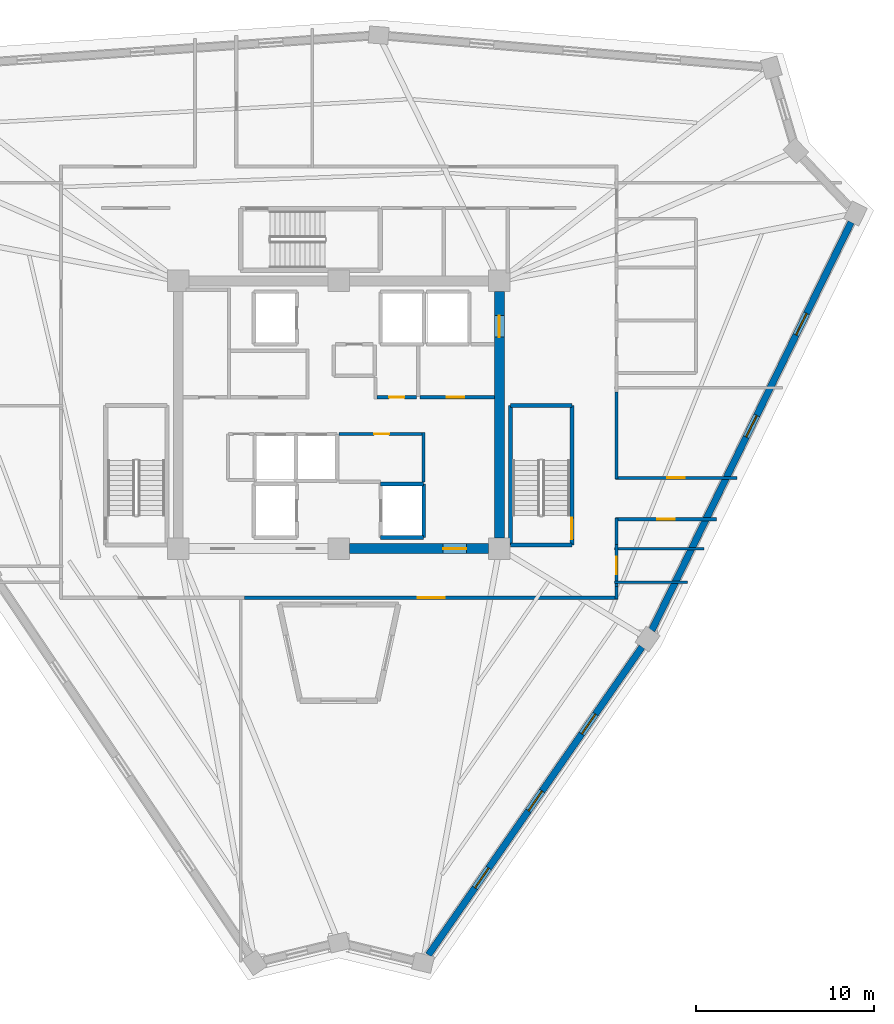
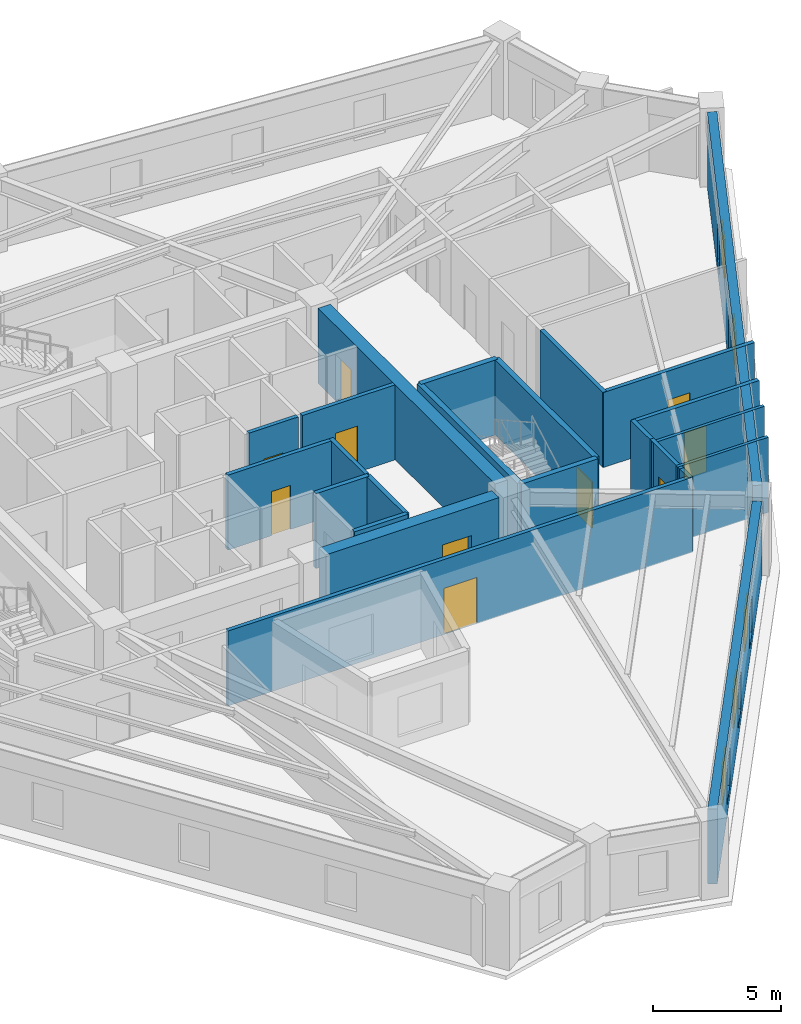
# One storey, part 4 of 10: 24 walls, 10 doors, 5 windows, 15 openings.
"""IFC4 building model written with IfcOpenShell, lengths in metres."""

import ifcopenshell
import ifcopenshell.guid

model = None  # the IFC model being written
_history = None  # IfcOwnerHistory: only IFC2X3 demands one
_inside = {}  # id of a spatial element -> (the spatial element, [elements in it])
_under = {}  # id of a project, library or spatial element -> (it, [spatial elements below it])
_declared = {}  # id of a project -> (the project, [libraries it declares])
_typed = {}  # id of a type object -> (the type object, [elements of that type])
_made_of = {}  # id of a material, layer set ... -> (it, [elements and type objects made of it])


def new_model(schema):
    """Start an empty IFC model of exactly this schema.

    Asked for "IFC4X3", IfcOpenShell would pick the latest addendum, in which some entities
    have other attributes; the version numbers below select the first issue.
    IFC2X3 requires an IfcOwnerHistory on every rooted entity: one is made here for all.
    """
    global model, _history
    if schema == "IFC4X3":
        model = ifcopenshell.file(schema_version=(4, 3, 0, 0))
    else:
        model = ifcopenshell.file(schema=schema)
    _inside.clear()
    _under.clear()
    _declared.clear()
    _typed.clear()
    _made_of.clear()
    _history = None
    if model.schema == "IFC2X3":
        org = make("IfcOrganization", Name="unknown")
        user = make(
            "IfcPersonAndOrganization",
            ThePerson=make("IfcPerson", FamilyName="unknown"),
            TheOrganization=org,
        )
        app = make(
            "IfcApplication",
            ApplicationDeveloper=org,
            Version="unknown",
            ApplicationFullName="unknown",
            ApplicationIdentifier="unknown",
        )
        _history = make(
            "IfcOwnerHistory",
            OwningUser=user,
            OwningApplication=app,
            ChangeAction="ADDED",
            CreationDate=0,
        )
    return model


def make(cls, **values):
    """One entity of the class cls with the attributes given. An attribute that is None is left unset."""
    return model.create_entity(
        cls, **{name: value for name, value in values.items() if value is not None}
    )


def rooted(cls, **values):
    """An entity with a GlobalId (a new one), such as an element, a storey or a relation."""
    return make(cls, GlobalId=ifcopenshell.guid.new(), OwnerHistory=_history, **values)


def si_unit(unit_type, name, prefix=None):
    """IfcSIUnit, for example si_unit("LENGTHUNIT", "METRE", prefix="MILLI")."""
    return make("IfcSIUnit", UnitType=unit_type, Prefix=prefix, Name=name)


def assignment(units):
    """IfcUnitAssignment: the units of a project."""
    return None if units is None else make("IfcUnitAssignment", Units=units)


def point(xyz):
    """IfcCartesianPoint."""
    return None if xyz is None else make("IfcCartesianPoint", Coordinates=xyz)


def direction(xyz):
    """IfcDirection."""
    return None if xyz is None else make("IfcDirection", DirectionRatios=xyz)


def frame(location, z_axis=None, x_axis=None):
    """IfcAxis2Placement3D, a coordinate frame: its origin and axes. An axis left out is left unset."""
    return make(
        "IfcAxis2Placement3D",
        Location=point(location),
        Axis=direction(z_axis),
        RefDirection=direction(x_axis),
    )


def frame_2d(location, x_axis=None):
    """IfcAxis2Placement2D, a coordinate frame in the plane: its origin and x axis."""
    return make(
        "IfcAxis2Placement2D", Location=point(location), RefDirection=direction(x_axis)
    )


def origin():
    """The frame at (0, 0, 0) with its axes left unset."""
    return frame((0.0, 0.0, 0.0))


def place(relative_to, where):
    """IfcLocalPlacement: puts the frame where relative to a parent placement (None: the world)."""
    return make(
        "IfcLocalPlacement", PlacementRelTo=relative_to, RelativePlacement=where
    )


def context(
    kind, dimensions, precision=None, world=None, true_north=None, identifier=None
):
    """IfcGeometricRepresentationContext, for example the 3D "Model" context."""
    return make(
        "IfcGeometricRepresentationContext",
        ContextIdentifier=identifier,
        ContextType=kind,
        CoordinateSpaceDimension=dimensions,
        Precision=precision,
        WorldCoordinateSystem=world,
        TrueNorth=true_north,
    )


def subcontext(parent, identifier, kind, view, scale=None):
    """IfcGeometricRepresentationSubContext, for example "Body" below "Model"."""
    return make(
        "IfcGeometricRepresentationSubContext",
        ContextIdentifier=identifier,
        ContextType=kind,
        ParentContext=parent,
        TargetScale=scale,
        TargetView=view,
    )


def project(units=None, contexts=None):
    """IfcProject with its units and contexts."""
    return rooted(
        "IfcProject",
        Name="project",
        RepresentationContexts=contexts,
        UnitsInContext=assignment(units),
    )


def spatial(cls, under=None, at=None, **own):
    """A site, building, storey or space (cls), placed at a placement, below another one or the project."""
    s = rooted(cls, ObjectPlacement=at, **own)
    if under is not None:
        _under.setdefault(under.id(), (under, []))[1].append(s)
    return s


def profile(cls, at=None, kind="AREA", **sizes):
    """A parametric profile (cls). Its sizes go by their IFC names, for example OverallWidth=200.0."""
    return make(cls, ProfileType=kind, Position=at, **sizes)


def rectangle(**sizes):
    """IfcRectangleProfileDef."""
    return profile("IfcRectangleProfileDef", **sizes)


def extrude(swept, where, along, depth):
    """IfcExtrudedAreaSolid: the profile swept, set in the frame where, extruded along a direction by depth."""
    return make(
        "IfcExtrudedAreaSolid",
        SweptArea=swept,
        Position=where,
        ExtrudedDirection=direction(along),
        Depth=depth,
    )


def shape(context_of_items, identifier, shape_type, items):
    """IfcShapeRepresentation: the items that make up one representation, for example the "Body"."""
    return make(
        "IfcShapeRepresentation",
        ContextOfItems=context_of_items,
        RepresentationIdentifier=identifier,
        RepresentationType=shape_type,
        Items=items,
    )


def source(mapping_origin, context_of_items, identifier, shape_type, items):
    """IfcRepresentationMap: a shape defined once, which mapped items show again and again."""
    return make(
        "IfcRepresentationMap",
        MappingOrigin=mapping_origin,
        MappedRepresentation=shape(context_of_items, identifier, shape_type, items),
    )


def transform(
    local_origin,
    x_axis=None,
    y_axis=None,
    z_axis=None,
    scale=None,
    scale2=None,
    scale3=None,
    uniform=True,
):
    """IfcCartesianTransformationOperator3D, or its non-uniform kind. x_axis, y_axis, z_axis: its Axis1, 2, 3."""
    if uniform:
        return make(
            "IfcCartesianTransformationOperator3D",
            Axis1=direction(x_axis),
            Axis2=direction(y_axis),
            LocalOrigin=point(local_origin),
            Scale=scale,
            Axis3=direction(z_axis),
        )
    return make(
        "IfcCartesianTransformationOperator3DnonUniform",
        Axis1=direction(x_axis),
        Axis2=direction(y_axis),
        LocalOrigin=point(local_origin),
        Scale=scale,
        Axis3=direction(z_axis),
        Scale2=scale2,
        Scale3=scale3,
    )


def mapped(mapping_source, mapping_target):
    """IfcMappedItem: shows the shape of a source again, moved by a transform."""
    return make(
        "IfcMappedItem", MappingSource=mapping_source, MappingTarget=mapping_target
    )


def material(Name=None, Category=None):
    """IfcMaterial."""
    return make("IfcMaterial", Name=Name, Category=Category)


def layer(
    of_material, thickness, ventilated=None, Name=None, Category=None, Priority=None
):
    """IfcMaterialLayer: one layer of a wall or slab, of a material (None: an air gap)."""
    return make(
        "IfcMaterialLayer",
        Material=of_material,
        LayerThickness=thickness,
        IsVentilated=ventilated,
        Name=Name,
        Category=Category,
        Priority=Priority,
    )


def layer_set(layers, Name=None):
    """IfcMaterialLayerSet."""
    return make("IfcMaterialLayerSet", MaterialLayers=layers, LayerSetName=Name)


def made_of(thing, what):
    """Note that an element or type object is made of a material, layer set ...; save() writes the relation."""
    if what is not None:
        _made_of.setdefault(what.id(), (what, []))[1].append(thing)
    return thing


def type_object(cls, material=None, **own):
    """A type object (cls), such as IfcWallType, which elements share."""
    return made_of(rooted(cls, **own), material)


def element(
    cls,
    number,
    at=None,
    inside=None,
    cuts=None,
    type_object=None,
    material=None,
    context=None,
    identifier="Body",
    shape_type=None,
    held_by="IfcProductDefinitionShape",
    body=None,
    shapes=None,
    **own,
):
    """One element of the class cls, such as IfcWall. Its Tag is "e" and its number.

    at: its placement. inside: the storey or other place that contains it. cuts: it is an
    opening in that element (IfcRelVoidsElement). A single representation is given by context,
    identifier, shape_type and body (its items); several are given by shapes. held_by: the class
    of the entity that holds the representations. save() writes the other relations.
    """
    e = rooted(cls, Tag="e%d" % number, ObjectPlacement=at, **own)
    if body is not None:
        shapes = [shape(context, identifier, shape_type, body)]
    if shapes is not None:
        e.Representation = make(held_by, Representations=shapes)
    if inside is not None:
        _inside.setdefault(inside.id(), (inside, []))[1].append(e)
    if cuts is not None:
        rooted(
            "IfcRelVoidsElement", RelatingBuildingElement=cuts, RelatedOpeningElement=e
        )
    if type_object is not None:
        _typed.setdefault(type_object.id(), (type_object, []))[1].append(e)
    return made_of(e, material)


def fill(opening, filler):
    """IfcRelFillsElement: the door or window that sits in an opening."""
    return rooted(
        "IfcRelFillsElement",
        RelatingOpeningElement=opening,
        RelatedBuildingElement=filler,
    )


def aggregate(whole, parts):
    """IfcRelAggregates: a whole, such as a stair, and the parts it consists of."""
    return rooted("IfcRelAggregates", RelatingObject=whole, RelatedObjects=parts)


def save(model, path):
    """Write the relations noted so far, then the file.

    IfcRelAggregates (storeys below a building ...), IfcRelContainedInSpatialStructure (elements
    in a storey), IfcRelDefinesByType, IfcRelAssociatesMaterial and IfcRelDeclares: one each for
    every whole, place, type object, material and project.
    """
    for whole, parts in _under.values():
        aggregate(whole, parts)
    for where, things in _inside.values():
        rooted(
            "IfcRelContainedInSpatialStructure",
            RelatedElements=things,
            RelatingStructure=where,
        )
    for kind, things in _typed.values():
        rooted("IfcRelDefinesByType", RelatedObjects=things, RelatingType=kind)
    for what, things in _made_of.values():
        rooted("IfcRelAssociatesMaterial", RelatedObjects=things, RelatingMaterial=what)
    for by, libraries in _declared.values():
        rooted("IfcRelDeclares", RelatingContext=by, RelatedDefinitions=libraries)
    model.write(path)


model = new_model("IFC4")

# Units and contexts
model_context = context("Model", 3, precision=1e-05, world=origin(), true_north=direction((0.0, 1.0)))
body_context = subcontext(model_context, "Body", "Model", "MODEL_VIEW")
ifc_project = project(units=[si_unit("LENGTHUNIT", "METRE"), si_unit("AREAUNIT", "SQUARE_METRE"), si_unit("VOLUMEUNIT", "CUBIC_METRE"), si_unit("PLANEANGLEUNIT", "RADIAN"), si_unit("MASSUNIT", "GRAM", prefix="KILO")], contexts=[model_context])

# Site, building, storey
site_placement = place(None, origin())
site = spatial("IfcSite", under=ifc_project, at=site_placement, CompositionType="ELEMENT")
building_placement = place(site_placement, origin())
building = spatial("IfcBuilding", under=site, at=building_placement, Name="Liaohun Quay Tower", CompositionType="ELEMENT")
storey_placement = place(building_placement, frame((0.0, 0.0, 339.75)))
storey = spatial("IfcBuildingStorey", under=building, at=storey_placement, Name="L88", CompositionType="ELEMENT", Elevation=339.75)

# Wall, opening, door
ifc_material_1 = material(Name="Concrete C50", Category="concrete")
ifc_layer_1 = layer(ifc_material_1, 0.550048828125, Name="Concrete C50", Category="concrete")
ifc_layer_set_1 = layer_set([ifc_layer_1], Name="Concrete C50")
wall_type_1 = type_object("IfcWallType", Name="WAL-COR-Z4", PredefinedType="SHEAR", material=ifc_layer_set_1)
wall_1_placement = place(storey_placement, frame((69.0, 60.89990234375, 0.0), z_axis=(0.0, 0.0, 1.0), x_axis=(0.0, -1.0, 0.0)))
wall_1 = element("IfcWall", 1, at=wall_1_placement, inside=storey, type_object=wall_type_1, Name="L88 Central Core Shear Wall E", PredefinedType="SHEAR", context=body_context, shape_type="SweptSolid", body=[
    extrude(rectangle(XDim=13.7998046875, YDim=0.550048828125, at=frame_2d((6.89990234375, 0.0))), origin(), (0.0, 0.0, 1.0), 3.570068359375),
])
shared_shape_1 = source(origin(), body_context, "Body", "SweptSolid", [
    extrude(rectangle(XDim=1.199951171875, YDim=2.199951171875, at=frame_2d((0.60009765625, 1.10009765625))), frame((0.0, 0.284912109375, 0.0), z_axis=(0.0, -1.0, 0.0), x_axis=(1.0, 0.0, 0.0)), (0.0, 0.0, 1.0), 0.570068359375),
])
opening_1_placement = place(wall_1_placement, frame((1.35009765625, 0.0, 0.0)))
opening_1 = element("IfcOpeningElement", 2, at=opening_1_placement, cuts=wall_1, Name="Opening SD1", PredefinedType="OPENING", context=body_context, shape_type="MappedRepresentation", body=[
    mapped(shared_shape_1, transform((0.0, 0.0, 0.0), x_axis=(1.0, 0.0, 0.0), y_axis=(0.0, 1.0, 0.0), z_axis=(0.0, 0.0, 1.0), scale=1.0)),
])
ifc_material_2 = material(Name="Galvanised steel fire door", Category="steel")
door_type_1 = type_object("IfcDoorType", Name="DOR-STR-1200", OperationType="NOTDEFINED", PredefinedType="DOOR", material=ifc_material_2)
shared_shape_2 = source(origin(), body_context, "Body", "SweptSolid", [
    extrude(rectangle(XDim=1.199951171875, YDim=2.199951171875, at=frame_2d((0.60009765625, 1.10009765625))), frame((0.0, 0.02490234375, 0.0), z_axis=(0.0, -1.0, 0.0), x_axis=(1.0, 0.0, 0.0)), (0.0, 0.0, 1.0), 0.050048828125),
])
door_1_placement = place(opening_1_placement, origin())
door_1 = element("IfcDoor", 3, at=door_1_placement, inside=storey, type_object=door_type_1, Name="L88 North-East Core Lobby Smokeproof Door", OperationType="SINGLE_SWING_LEFT", OverallHeight=2.199951171875, OverallWidth=1.199951171875, PredefinedType="DOOR", context=body_context, shape_type="MappedRepresentation", body=[
    mapped(shared_shape_2, transform((0.0, 0.0, 0.0), x_axis=(1.0, 0.0, 0.0), y_axis=(0.0, 1.0, 0.0), z_axis=(0.0, 0.0, 1.0), scale=1.0)),
])
fill(opening_1, door_1)

wall_2_placement = place(storey_placement, frame((68.39990234375, 46.5, 0.0), z_axis=(0.0, 0.0, 1.0), x_axis=(-1.0, 0.0, 0.0)))
wall_2 = element("IfcWall", 4, at=wall_2_placement, inside=storey, type_object=wall_type_1, Name="L88 Central Core Shear Wall S-E", PredefinedType="SHEAR", context=body_context, shape_type="SweptSolid", body=[
    extrude(rectangle(XDim=7.7998046875, YDim=0.550048828125, at=frame_2d((3.89990234375, 0.0))), origin(), (0.0, 0.0, 1.0), 3.570068359375),
])
shared_shape_3 = source(origin(), body_context, "Body", "SweptSolid", [
    extrude(rectangle(XDim=1.300048828125, YDim=2.199951171875, at=frame_2d((0.64990234375, 1.10009765625))), frame((0.0, 0.284912109375, 0.0), z_axis=(0.0, -1.0, 0.0), x_axis=(1.0, 0.0, 0.0)), (0.0, 0.0, 1.0), 0.570068359375),
])
opening_2_placement = place(wall_2_placement, frame((1.25, 0.0, 0.0)))
opening_2 = element("IfcOpeningElement", 5, at=opening_2_placement, cuts=wall_2, Name="Opening FD1", PredefinedType="OPENING", context=body_context, shape_type="MappedRepresentation", body=[
    mapped(shared_shape_3, transform((0.0, 0.0, 0.0), x_axis=(1.0, 0.0, 0.0), y_axis=(0.0, 1.0, 0.0), z_axis=(0.0, 0.0, 1.0), scale=1.0)),
])
ifc_material_3 = material(Name="Galvanised steel smokeproof fire door", Category="steel")
door_type_2 = type_object("IfcDoorType", Name="DOR-FFL-1300", OperationType="NOTDEFINED", PredefinedType="DOOR", material=ifc_material_3)
shared_shape_4 = source(origin(), body_context, "Body", "SweptSolid", [
    extrude(rectangle(XDim=1.300048828125, YDim=2.199951171875, at=frame_2d((0.64990234375, 1.10009765625))), frame((0.0, 0.02490234375, 0.0), z_axis=(0.0, -1.0, 0.0), x_axis=(1.0, 0.0, 0.0)), (0.0, 0.0, 1.0), 0.050048828125),
])
door_2_placement = place(opening_2_placement, origin())
door_2 = element("IfcDoor", 6, at=door_2_placement, inside=storey, type_object=door_type_2, Name="L88 East Core Lift Lobby Smokeproof Door", OperationType="SINGLE_SWING_LEFT", OverallHeight=2.199951171875, OverallWidth=1.300048828125, PredefinedType="DOOR", context=body_context, shape_type="MappedRepresentation", body=[
    mapped(shared_shape_4, transform((0.0, 0.0, 0.0), x_axis=(1.0, 0.0, 0.0), y_axis=(0.0, 1.0, 0.0), z_axis=(0.0, 0.0, 1.0), scale=1.0)),
])
fill(opening_2, door_2)

# Wall, openings, windows
ifc_material_4 = material(Name="Precast concrete C50 insulated sandwich", Category="concrete")
ifc_layer_2 = layer(ifc_material_4, 0.3798828125, Name="Precast concrete C50 insulated sandwich", Category="concrete")
ifc_layer_set_2 = layer_set([ifc_layer_2], Name="Precast concrete C50 insulated sandwich")
wall_type_2 = type_object("IfcWallType", Name="WAL-EXT-Z34", PredefinedType="SOLIDWALL", material=ifc_layer_set_2)
wall_3_placement = place(storey_placement, frame((65.02294921875, 23.736083984375, 0.0), z_axis=(0.0, 0.0, 1.0), x_axis=(0.569887562459, 0.821722682025, 0.0)))
wall_3 = element("IfcWall", 7, at=wall_3_placement, inside=storey, type_object=wall_type_2, Name="L88 Brutalist Precast Pier Wall 02", PredefinedType="SOLIDWALL", context=body_context, shape_type="SweptSolid", body=[
    extrude(rectangle(XDim=20.997314453125, YDim=0.3798828125, at=frame_2d((10.49853515625, 0.0))), origin(), (0.0, 0.0, 1.0), 3.570068359375),
])
shared_shape_5 = source(origin(), body_context, "Body", "SweptSolid", [
    extrude(rectangle(XDim=1.35009765625, YDim=1.85009765625, at=frame_2d((0.675048828125, 0.925048828125))), frame((0.0, 0.199951171875, 0.0), z_axis=(0.0, -1.0, 0.0), x_axis=(1.0, 0.0, 0.0)), (0.0, 0.0, 1.0), 0.39990234375),
])
opening_3_placement = place(wall_3_placement, frame((4.573974609375, 0.0, 0.550048828125)))
opening_3 = element("IfcOpeningElement", 8, at=opening_3_placement, cuts=wall_3, Name="Opening W04", PredefinedType="OPENING", context=body_context, shape_type="MappedRepresentation", body=[
    mapped(shared_shape_5, transform((0.0, 0.0, 0.0), x_axis=(1.0, 0.0, 0.0), y_axis=(0.0, 1.0, 0.0), z_axis=(0.0, 0.0, 1.0), scale=1.0)),
])
opening_4_placement = place(wall_3_placement, frame((9.823974609375, 0.0, 0.550048828125)))
opening_4 = element("IfcOpeningElement", 9, at=opening_4_placement, cuts=wall_3, Name="Opening W04", PredefinedType="OPENING", context=body_context, shape_type="MappedRepresentation", body=[
    mapped(shared_shape_5, transform((0.0, 0.0, 0.0), x_axis=(1.0, 0.0, 0.0), y_axis=(0.0, 1.0, 0.0), z_axis=(0.0, 0.0, 1.0), scale=1.0)),
])
opening_5_placement = place(wall_3_placement, frame((15.072998046875, 0.0, 0.550048828125)))
opening_5 = element("IfcOpeningElement", 10, at=opening_5_placement, cuts=wall_3, Name="Opening W04", PredefinedType="OPENING", context=body_context, shape_type="MappedRepresentation", body=[
    mapped(shared_shape_5, transform((0.0, 0.0, 0.0), x_axis=(1.0, 0.0, 0.0), y_axis=(0.0, 1.0, 0.0), z_axis=(0.0, 0.0, 1.0), scale=1.0)),
])
ifc_material_5 = material(Name="Triple Low-E argon glazing in thermally broken aluminium", Category="aluminium")
window_type = type_object("IfcWindowType", Name="WIN-PUN-Z4", PartitioningType="SINGLE_PANEL", PredefinedType="WINDOW", material=ifc_material_5)
shared_shape_6 = source(origin(), body_context, "Body", "SweptSolid", [
    extrude(rectangle(XDim=1.35009765625, YDim=1.85009765625, at=frame_2d((0.675048828125, 0.925048828125))), frame((0.0, 0.030029296875, 0.0), z_axis=(0.0, -1.0, 0.0), x_axis=(1.0, 0.0, 0.0)), (0.0, 0.0, 1.0), 0.06005859375),
])
window_1_placement = place(opening_3_placement, origin())
window_1 = element("IfcWindow", 11, at=window_1_placement, inside=storey, type_object=window_type, Name="L88 Recessed Cold-Climate Punched Window 02-1", OverallHeight=1.85009765625, OverallWidth=1.35009765625, PartitioningType="SINGLE_PANEL", PredefinedType="WINDOW", context=body_context, shape_type="MappedRepresentation", body=[
    mapped(shared_shape_6, transform((0.0, 0.0, 0.0), x_axis=(1.0, 0.0, 0.0), y_axis=(0.0, 1.0, 0.0), z_axis=(0.0, 0.0, 1.0), scale=1.0)),
])
fill(opening_3, window_1)
window_2_placement = place(opening_4_placement, origin())
window_2 = element("IfcWindow", 12, at=window_2_placement, inside=storey, type_object=window_type, Name="L88 Recessed Cold-Climate Punched Window 02-2", OverallHeight=1.85009765625, OverallWidth=1.35009765625, PartitioningType="SINGLE_PANEL", PredefinedType="WINDOW", context=body_context, shape_type="MappedRepresentation", body=[
    mapped(shared_shape_6, transform((0.0, 0.0, 0.0), x_axis=(1.0, 0.0, 0.0), y_axis=(0.0, 1.0, 0.0), z_axis=(0.0, 0.0, 1.0), scale=1.0)),
])
fill(opening_4, window_2)
window_3_placement = place(opening_5_placement, origin())
window_3 = element("IfcWindow", 13, at=window_3_placement, inside=storey, type_object=window_type, Name="L88 Recessed Cold-Climate Punched Window 02-3", OverallHeight=1.85009765625, OverallWidth=1.35009765625, PartitioningType="SINGLE_PANEL", PredefinedType="WINDOW", context=body_context, shape_type="MappedRepresentation", body=[
    mapped(shared_shape_6, transform((0.0, 0.0, 0.0), x_axis=(1.0, 0.0, 0.0), y_axis=(0.0, 1.0, 0.0), z_axis=(0.0, 0.0, 1.0), scale=1.0)),
])
fill(opening_5, window_3)

wall_4_placement = place(storey_placement, frame((77.533935546875, 41.9189453125, 0.0), z_axis=(0.0, 0.0, 1.0), x_axis=(0.438992867409, 0.898490546619, 0.0)))
wall_4 = element("IfcWall", 14, at=wall_4_placement, inside=storey, type_object=wall_type_2, Name="L88 Brutalist Precast Pier Wall 03", PredefinedType="SOLIDWALL", context=body_context, shape_type="SweptSolid", body=[
    extrude(rectangle(XDim=25.4560546875, YDim=0.3798828125, at=frame_2d((12.72802734375, 0.0))), origin(), (0.0, 0.0, 1.0), 3.570068359375),
])
opening_6_placement = place(wall_4_placement, frame((12.052978515625, 0.0, 0.550048828125)))
opening_6 = element("IfcOpeningElement", 15, at=opening_6_placement, cuts=wall_4, Name="Opening W04", PredefinedType="OPENING", context=body_context, shape_type="MappedRepresentation", body=[
    mapped(shared_shape_5, transform((0.0, 0.0, 0.0), x_axis=(1.0, 0.0, 0.0), y_axis=(0.0, 1.0, 0.0), z_axis=(0.0, 0.0, 1.0), scale=1.0)),
])
opening_7_placement = place(wall_4_placement, frame((18.4169921875, 0.0, 0.550048828125)))
opening_7 = element("IfcOpeningElement", 16, at=opening_7_placement, cuts=wall_4, Name="Opening W04", PredefinedType="OPENING", context=body_context, shape_type="MappedRepresentation", body=[
    mapped(shared_shape_5, transform((0.0, 0.0, 0.0), x_axis=(1.0, 0.0, 0.0), y_axis=(0.0, 1.0, 0.0), z_axis=(0.0, 0.0, 1.0), scale=1.0)),
])
window_4_placement = place(opening_6_placement, origin())
window_4 = element("IfcWindow", 17, at=window_4_placement, inside=storey, type_object=window_type, Name="L88 Recessed Cold-Climate Punched Window 03-2", OverallHeight=1.85009765625, OverallWidth=1.35009765625, PartitioningType="SINGLE_PANEL", PredefinedType="WINDOW", context=body_context, shape_type="MappedRepresentation", body=[
    mapped(shared_shape_6, transform((0.0, 0.0, 0.0), x_axis=(1.0, 0.0, 0.0), y_axis=(0.0, 1.0, 0.0), z_axis=(0.0, 0.0, 1.0), scale=1.0)),
])
fill(opening_6, window_4)
window_5_placement = place(opening_7_placement, origin())
window_5 = element("IfcWindow", 18, at=window_5_placement, inside=storey, type_object=window_type, Name="L88 Recessed Cold-Climate Punched Window 03-3", OverallHeight=1.85009765625, OverallWidth=1.35009765625, PartitioningType="SINGLE_PANEL", PredefinedType="WINDOW", context=body_context, shape_type="MappedRepresentation", body=[
    mapped(shared_shape_6, transform((0.0, 0.0, 0.0), x_axis=(1.0, 0.0, 0.0), y_axis=(0.0, 1.0, 0.0), z_axis=(0.0, 0.0, 1.0), scale=1.0)),
])
fill(opening_7, window_5)

# Wall, opening, door
ifc_material_6 = material(Name="Autoclaved aerated concrete blockwork", Category="masonry")
ifc_layer_3 = layer(ifc_material_6, 0.179931640625, Name="Autoclaved aerated concrete blockwork", Category="masonry")
ifc_layer_set_3 = layer_set([ifc_layer_3], Name="Autoclaved aerated concrete blockwork")
wall_type_3 = type_object("IfcWallType", Name="WAL-PRT-COR", PredefinedType="PARTITIONING", material=ifc_layer_set_3)
wall_5_placement = place(storey_placement, frame((60.0, 52.919921875, 0.0), z_axis=(0.0, 0.0, 1.0), x_axis=(1.0, 0.0, 0.0)))
wall_5 = element("IfcWall", 19, at=wall_5_placement, inside=storey, type_object=wall_type_3, Name="L88 Interior Partition Wall 001", PredefinedType="PARTITIONING", context=body_context, shape_type="SweptSolid", body=[
    extrude(rectangle(XDim=4.659912109375, YDim=0.179931640625, at=frame_2d((2.330078125, 0.0))), origin(), (0.0, 0.0, 1.0), 3.570068359375),
])
shared_shape_7 = source(origin(), body_context, "Body", "SweptSolid", [
    extrude(rectangle(XDim=0.85009765625, YDim=2.10009765625, at=frame_2d((0.425048828125, 1.050048828125))), frame((0.0, 0.099853515625, 0.0), z_axis=(0.0, -1.0, 0.0), x_axis=(1.0, 0.0, 0.0)), (0.0, 0.0, 1.0), 0.199951171875),
])
opening_8_placement = place(wall_5_placement, frame((1.97509765625, 0.0, 0.0)))
opening_8 = element("IfcOpeningElement", 20, at=opening_8_placement, cuts=wall_5, Name="Opening AD1", PredefinedType="OPENING", context=body_context, shape_type="MappedRepresentation", body=[
    mapped(shared_shape_7, transform((0.0, 0.0, 0.0), x_axis=(1.0, 0.0, 0.0), y_axis=(0.0, 1.0, 0.0), z_axis=(0.0, 0.0, 1.0), scale=1.0)),
])
ifc_material_7 = material(Name="Steel riser inspection fire door", Category="steel")
door_type_3 = type_object("IfcDoorType", Name="DOR-SHF-850", OperationType="NOTDEFINED", PredefinedType="DOOR", material=ifc_material_7)
shared_shape_8 = source(origin(), body_context, "Body", "SweptSolid", [
    extrude(rectangle(XDim=0.85009765625, YDim=2.10009765625, at=frame_2d((0.425048828125, 1.050048828125))), frame((0.0, 0.02490234375, 0.0), z_axis=(0.0, -1.0, 0.0), x_axis=(1.0, 0.0, 0.0)), (0.0, 0.0, 1.0), 0.050048828125),
])
door_3_placement = place(opening_8_placement, origin())
door_3 = element("IfcDoor", 21, at=door_3_placement, inside=storey, type_object=door_type_3, Name="L88 Core High-Zone BMS and Switch Room Door", OperationType="SINGLE_SWING_RIGHT", OverallHeight=2.10009765625, OverallWidth=0.85009765625, PredefinedType="DOOR", context=body_context, shape_type="MappedRepresentation", body=[
    mapped(shared_shape_8, transform((0.0, 0.0, 0.0), x_axis=(1.0, 0.0, 0.0), y_axis=(0.0, 1.0, 0.0), z_axis=(0.0, 0.0, 1.0), scale=1.0)),
])
fill(opening_8, door_3)

wall_6_placement = place(storey_placement, frame((62.139892578125, 54.97998046875, 0.0), z_axis=(0.0, 0.0, 1.0), x_axis=(1.0, 0.0, 0.0)))
wall_6 = element("IfcWall", 22, at=wall_6_placement, inside=storey, type_object=wall_type_3, Name="L88 Interior Partition Wall 004", PredefinedType="PARTITIONING", context=body_context, shape_type="SweptSolid", body=[
    extrude(rectangle(XDim=2.22021484375, YDim=0.179931640625, at=frame_2d((1.110107421875, 0.0))), origin(), (0.0, 0.0, 1.0), 3.570068359375),
])
opening_9_placement = place(wall_6_placement, frame((0.68505859375, 0.0, 0.0)))
opening_9 = element("IfcOpeningElement", 23, at=opening_9_placement, cuts=wall_6, Name="Opening AD1", PredefinedType="OPENING", context=body_context, shape_type="MappedRepresentation", body=[
    mapped(shared_shape_7, transform((0.0, 0.0, 0.0), x_axis=(1.0, 0.0, 0.0), y_axis=(0.0, 1.0, 0.0), z_axis=(0.0, 0.0, 1.0), scale=1.0)),
])
door_4_placement = place(opening_9_placement, origin())
door_4 = element("IfcDoor", 24, at=door_4_placement, inside=storey, type_object=door_type_3, Name="L88 Core Cleaner Store Door", OperationType="SINGLE_SWING_LEFT", OverallHeight=2.10009765625, OverallWidth=0.85009765625, PredefinedType="DOOR", context=body_context, shape_type="MappedRepresentation", body=[
    mapped(shared_shape_8, transform((0.0, 0.0, 0.0), x_axis=(1.0, 0.0, 0.0), y_axis=(0.0, 1.0, 0.0), z_axis=(0.0, 0.0, 1.0), scale=1.0)),
])
fill(opening_9, door_4)

wall_7_placement = place(storey_placement, frame((64.5400390625, 54.97998046875, 0.0), z_axis=(0.0, 0.0, 1.0), x_axis=(1.0, 0.0, 0.0)))
wall_7 = element("IfcWall", 25, at=wall_7_placement, inside=storey, type_object=wall_type_3, Name="L88 Interior Partition Wall 005", PredefinedType="PARTITIONING", context=body_context, shape_type="SweptSolid", body=[
    extrude(rectangle(XDim=4.18505859375, YDim=0.179931640625, at=frame_2d((2.092529296875, 0.0))), origin(), (0.0, 0.0, 1.0), 3.570068359375),
])
shared_shape_9 = source(origin(), body_context, "Body", "SweptSolid", [
    extrude(rectangle(XDim=1.0, YDim=2.199951171875, at=frame_2d((0.5, 1.10009765625))), frame((0.0, 0.099853515625, 0.0), z_axis=(0.0, -1.0, 0.0), x_axis=(1.0, 0.0, 0.0)), (0.0, 0.0, 1.0), 0.199951171875),
])
opening_10_placement = place(wall_7_placement, frame((1.4951171875, 0.0, 0.0)))
opening_10 = element("IfcOpeningElement", 26, at=opening_10_placement, cuts=wall_7, Name="Opening OD1", PredefinedType="OPENING", context=body_context, shape_type="MappedRepresentation", body=[
    mapped(shared_shape_9, transform((0.0, 0.0, 0.0), x_axis=(1.0, 0.0, 0.0), y_axis=(0.0, 1.0, 0.0), z_axis=(0.0, 0.0, 1.0), scale=1.0)),
])
ifc_material_8 = material(Name="Solid-core oak veneer timber leaf in steel frame", Category="steel")
door_type_4 = type_object("IfcDoorType", Name="DOR-OFF-1000", OperationType="NOTDEFINED", PredefinedType="DOOR", material=ifc_material_8)
shared_shape_10 = source(origin(), body_context, "Body", "SweptSolid", [
    extrude(rectangle(XDim=1.0, YDim=2.199951171875, at=frame_2d((0.5, 1.10009765625))), frame((0.0, 0.02490234375, 0.0), z_axis=(0.0, -1.0, 0.0), x_axis=(1.0, 0.0, 0.0)), (0.0, 0.0, 1.0), 0.050048828125),
])
door_5_placement = place(opening_10_placement, origin())
door_5 = element("IfcDoor", 27, at=door_5_placement, inside=storey, type_object=door_type_4, Name="L88 Core High-Zone Pantry Room Door", OperationType="SINGLE_SWING_RIGHT", OverallHeight=2.199951171875, OverallWidth=1.0, PredefinedType="DOOR", context=body_context, shape_type="MappedRepresentation", body=[
    mapped(shared_shape_10, transform((0.0, 0.0, 0.0), x_axis=(1.0, 0.0, 0.0), y_axis=(0.0, 1.0, 0.0), z_axis=(0.0, 0.0, 1.0), scale=1.0)),
])
fill(opening_10, door_5)

wall_8_placement = place(storey_placement, frame((75.6298828125, 43.739990234375, 0.0), z_axis=(0.0, 0.0, 1.0), x_axis=(-1.0, 0.0, 0.0)))
wall_8 = element("IfcWall", 28, at=wall_8_placement, inside=storey, type_object=wall_type_3, Name="L88 Interior Partition Wall 022", PredefinedType="PARTITIONING", context=body_context, shape_type="SweptSolid", body=[
    extrude(rectangle(XDim=20.914794921875, YDim=0.179931640625, at=frame_2d((10.45751953125, 0.0))), origin(), (0.0, 0.0, 1.0), 3.570068359375),
])
shared_shape_11 = source(origin(), body_context, "Body", "SweptSolid", [
    extrude(rectangle(XDim=1.5, YDim=2.199951171875, at=frame_2d((0.75, 1.10009765625))), frame((0.0, 0.099853515625, 0.0), z_axis=(0.0, -1.0, 0.0), x_axis=(1.0, 0.0, 0.0)), (0.0, 0.0, 1.0), 0.199951171875),
])
opening_11_placement = place(wall_8_placement, frame((9.70703125, 0.0, 0.0)))
opening_11 = element("IfcOpeningElement", 29, at=opening_11_placement, cuts=wall_8, Name="Opening OD2", PredefinedType="OPENING", context=body_context, shape_type="MappedRepresentation", body=[
    mapped(shared_shape_11, transform((0.0, 0.0, 0.0), x_axis=(1.0, 0.0, 0.0), y_axis=(0.0, 1.0, 0.0), z_axis=(0.0, 0.0, 1.0), scale=1.0)),
])
ifc_material_9 = material(Name="Acoustic oak veneer double door")
door_type_5 = type_object("IfcDoorType", Name="DOR-OFF-1500", OperationType="DOUBLE_DOOR_SINGLE_SWING", PredefinedType="DOOR", material=ifc_material_9)
shared_shape_12 = source(origin(), body_context, "Body", "SweptSolid", [
    extrude(rectangle(XDim=1.5, YDim=2.199951171875, at=frame_2d((0.75, 1.10009765625))), frame((0.0, 0.02490234375, 0.0), z_axis=(0.0, -1.0, 0.0), x_axis=(1.0, 0.0, 0.0)), (0.0, 0.0, 1.0), 0.050048828125),
])
door_6_placement = place(opening_11_placement, origin())
door_6 = element("IfcDoor", 30, at=door_6_placement, inside=storey, type_object=door_type_5, Name="L88 Corporate Exhibition Gallery 08 Door", OperationType="DOUBLE_DOOR_SINGLE_SWING", OverallHeight=2.199951171875, OverallWidth=1.5, PredefinedType="DOOR", context=body_context, shape_type="MappedRepresentation", body=[
    mapped(shared_shape_12, transform((0.0, 0.0, 0.0), x_axis=(1.0, 0.0, 0.0), y_axis=(0.0, 1.0, 0.0), z_axis=(0.0, 0.0, 1.0), scale=1.0)),
])
fill(opening_11, door_6)

wall_9_placement = place(storey_placement, frame((75.56005859375, 46.715087890625, 0.0), z_axis=(0.0, 0.0, 1.0), x_axis=(0.0, -1.0, 0.0)))
wall_9 = element("IfcWall", 31, at=wall_9_placement, inside=storey, type_object=wall_type_3, Name="L88 Interior Partition Wall 023", PredefinedType="PARTITIONING", context=body_context, shape_type="SweptSolid", body=[
    extrude(rectangle(XDim=2.330078125, YDim=0.179931640625, at=frame_2d((1.1650390625, 0.0))), origin(), (0.0, 0.0, 1.0), 3.570068359375),
])
opening_12_placement = place(wall_9_placement, frame((0.6650390625, 0.0, 0.0)))
opening_12 = element("IfcOpeningElement", 32, at=opening_12_placement, cuts=wall_9, Name="Opening OD1", PredefinedType="OPENING", context=body_context, shape_type="MappedRepresentation", body=[
    mapped(shared_shape_9, transform((0.0, 0.0, 0.0), x_axis=(1.0, 0.0, 0.0), y_axis=(0.0, 1.0, 0.0), z_axis=(0.0, 0.0, 1.0), scale=1.0)),
])
door_7_placement = place(opening_12_placement, origin())
door_7 = element("IfcDoor", 33, at=door_7_placement, inside=storey, type_object=door_type_4, Name="L88 Records Archive Store 09 Door", OperationType="SINGLE_SWING_RIGHT", OverallHeight=2.199951171875, OverallWidth=1.0, PredefinedType="DOOR", context=body_context, shape_type="MappedRepresentation", body=[
    mapped(shared_shape_10, transform((0.0, 0.0, 0.0), x_axis=(1.0, 0.0, 0.0), y_axis=(0.0, 1.0, 0.0), z_axis=(0.0, 0.0, 1.0), scale=1.0)),
])
fill(opening_12, door_7)

wall_10_placement = place(storey_placement, frame((81.166015625, 48.139892578125, 0.0), z_axis=(0.0, 0.0, 1.0), x_axis=(-1.0, 0.0, 0.0)))
wall_10 = element("IfcWall", 34, at=wall_10_placement, inside=storey, type_object=wall_type_3, Name="L88 Interior Partition Wall 024", PredefinedType="PARTITIONING", context=body_context, shape_type="SweptSolid", body=[
    extrude(rectangle(XDim=5.676025390625, YDim=0.179931640625, at=frame_2d((2.837890625, 0.0))), origin(), (0.0, 0.0, 1.0), 3.570068359375),
])
opening_13_placement = place(wall_10_placement, frame((2.337890625, 0.0, 0.0)))
opening_13 = element("IfcOpeningElement", 35, at=opening_13_placement, cuts=wall_10, Name="Opening OD1", PredefinedType="OPENING", context=body_context, shape_type="MappedRepresentation", body=[
    mapped(shared_shape_9, transform((0.0, 0.0, 0.0), x_axis=(1.0, 0.0, 0.0), y_axis=(0.0, 1.0, 0.0), z_axis=(0.0, 0.0, 1.0), scale=1.0)),
])
door_8_placement = place(opening_13_placement, origin())
door_8 = element("IfcDoor", 36, at=door_8_placement, inside=storey, type_object=door_type_4, Name="L88 Open-Plan Office Workplace 10 Door", OperationType="SINGLE_SWING_LEFT", OverallHeight=2.199951171875, OverallWidth=1.0, PredefinedType="DOOR", context=body_context, shape_type="MappedRepresentation", body=[
    mapped(shared_shape_10, transform((0.0, 0.0, 0.0), x_axis=(1.0, 0.0, 0.0), y_axis=(0.0, 1.0, 0.0), z_axis=(0.0, 0.0, 1.0), scale=1.0)),
])
fill(opening_13, door_8)

wall_11_placement = place(storey_placement, frame((75.489990234375, 50.4599609375, 0.0), z_axis=(0.0, 0.0, 1.0), x_axis=(1.0, 0.0, 0.0)))
wall_11 = element("IfcWall", 37, at=wall_11_placement, inside=storey, type_object=wall_type_3, Name="L88 Interior Partition Wall 025", PredefinedType="PARTITIONING", context=body_context, shape_type="SweptSolid", body=[
    extrude(rectangle(XDim=6.81005859375, YDim=0.179931640625, at=frame_2d((3.405029296875, 0.0))), origin(), (0.0, 0.0, 1.0), 3.570068359375),
])
opening_14_placement = place(wall_11_placement, frame((2.905029296875, 0.0, 0.0)))
opening_14 = element("IfcOpeningElement", 38, at=opening_14_placement, cuts=wall_11, Name="Opening OD1", PredefinedType="OPENING", context=body_context, shape_type="MappedRepresentation", body=[
    mapped(shared_shape_9, transform((0.0, 0.0, 0.0), x_axis=(1.0, 0.0, 0.0), y_axis=(0.0, 1.0, 0.0), z_axis=(0.0, 0.0, 1.0), scale=1.0)),
])
door_9_placement = place(opening_14_placement, origin())
door_9 = element("IfcDoor", 39, at=door_9_placement, inside=storey, type_object=door_type_4, Name="L88 Executive Partner Office 11 Door", OperationType="SINGLE_SWING_RIGHT", OverallHeight=2.199951171875, OverallWidth=1.0, PredefinedType="DOOR", context=body_context, shape_type="MappedRepresentation", body=[
    mapped(shared_shape_10, transform((0.0, 0.0, 0.0), x_axis=(1.0, 0.0, 0.0), y_axis=(0.0, 1.0, 0.0), z_axis=(0.0, 0.0, 1.0), scale=1.0)),
])
fill(opening_14, door_9)

# Walls
wall_12_placement = place(storey_placement, frame((75.56005859375, 44.385009765625, 0.0), z_axis=(0.0, 0.0, 1.0), x_axis=(0.0, -1.0, 0.0)))
element("IfcWall", 40, at=wall_12_placement, inside=storey, type_object=wall_type_3, Name="L88 Interior Partition Wall 045", PredefinedType="PARTITIONING", context=body_context, shape_type="SweptSolid", body=[
    extrude(rectangle(XDim=0.715087890625, YDim=0.179931640625, at=frame_2d((0.357421875, 0.0))), origin(), (0.0, 0.0, 1.0), 3.570068359375),
])
wall_13_placement = place(storey_placement, frame((75.56005859375, 48.2099609375, 0.0), z_axis=(0.0, 0.0, 1.0), x_axis=(0.0, -1.0, 0.0)))
element("IfcWall", 41, at=wall_13_placement, inside=storey, type_object=wall_type_3, Name="L88 Interior Partition Wall 046", PredefinedType="PARTITIONING", context=body_context, shape_type="SweptSolid", body=[
    extrude(rectangle(XDim=1.494873046875, YDim=0.179931640625, at=frame_2d((0.74755859375, 0.0))), origin(), (0.0, 0.0, 1.0), 3.570068359375),
])
wall_14_placement = place(storey_placement, frame((75.56005859375, 55.284912109375, 0.0), z_axis=(0.0, 0.0, 1.0), x_axis=(0.0, -1.0, 0.0)))
element("IfcWall", 42, at=wall_14_placement, inside=storey, type_object=wall_type_3, Name="L88 Interior Partition Wall 047", PredefinedType="PARTITIONING", context=body_context, shape_type="SweptSolid", body=[
    extrude(rectangle(XDim=4.89501953125, YDim=0.179931640625, at=frame_2d((2.447509765625, 0.0))), origin(), (0.0, 0.0, 1.0), 3.570068359375),
])
wall_15_placement = place(storey_placement, frame((64.75, 50.219970703125, 0.0), z_axis=(0.0, 0.0, 1.0), x_axis=(0.0, 1.0, 0.0)))
element("IfcWall", 43, at=wall_15_placement, inside=storey, type_object=wall_type_3, Name="L88 Interior Partition Wall 058", PredefinedType="PARTITIONING", context=body_context, shape_type="SweptSolid", body=[
    extrude(rectangle(XDim=2.7900390625, YDim=0.179931640625, at=frame_2d((1.39501953125, 0.0))), origin(), (0.0, 0.0, 1.0), 3.570068359375),
])
ifc_material_10 = material(Name="Gypsum board on twin steel studs", Category="steel")
ifc_layer_4 = layer(ifc_material_10, 0.139892578125, Name="Gypsum board on twin steel studs", Category="steel")
ifc_layer_set_4 = layer_set([ifc_layer_4], Name="Gypsum board on twin steel studs")
wall_type_4 = type_object("IfcWallType", Name="WAL-PRT-OFF", PredefinedType="PARTITIONING", material=ifc_layer_set_4)
wall_16_placement = place(storey_placement, frame((75.4599609375, 44.60009765625, 0.0), z_axis=(0.0, 0.0, 1.0), x_axis=(1.0, 0.0, 0.0)))
element("IfcWall", 44, at=wall_16_placement, inside=storey, type_object=wall_type_4, Name="L88 Interior Partition Wall 052", PredefinedType="PARTITIONING", context=body_context, shape_type="SweptSolid", body=[
    extrude(rectangle(XDim=4.0849609375, YDim=0.139892578125, at=frame_2d((2.04248046875, 0.0))), origin(), (0.0, 0.0, 1.0), 3.570068359375),
])
wall_17_placement = place(storey_placement, frame((75.4599609375, 46.5, 0.0), z_axis=(0.0, 0.0, 1.0), x_axis=(1.0, 0.0, 0.0)))
element("IfcWall", 45, at=wall_17_placement, inside=storey, type_object=wall_type_4, Name="L88 Interior Partition Wall 053", PredefinedType="PARTITIONING", context=body_context, shape_type="SweptSolid", body=[
    extrude(rectangle(XDim=5.012939453125, YDim=0.139892578125, at=frame_2d((2.50634765625, 0.0))), origin(), (0.0, 0.0, 1.0), 3.570068359375),
])
ifc_layer_5 = layer(ifc_material_1, 0.239990234375, Name="Concrete C50", Category="concrete")
ifc_layer_set_5 = layer_set([ifc_layer_5], Name="Concrete C50")
wall_type_5 = type_object("IfcWallType", Name="WAL-SHF-200", PredefinedType="SOLIDWALL", material=ifc_layer_set_5)
wall_18_placement = place(storey_placement, frame((69.6201171875, 46.699951171875, 0.0), z_axis=(0.0, 0.0, 1.0), x_axis=(1.0, 0.0, 0.0)))
element("IfcWall", 46, at=wall_18_placement, inside=storey, type_object=wall_type_5, Name="L88 Stairwell ST-2 Structural Core Wall S", PredefinedType="SOLIDWALL", context=body_context, shape_type="SweptSolid", body=[
    extrude(rectangle(XDim=3.43994140625, YDim=0.239990234375, at=frame_2d((1.719970703125, 0.0))), origin(), (0.0, 0.0, 1.0), 3.570068359375),
])

# Wall, opening, door
wall_19_placement = place(storey_placement, frame((73.06005859375, 46.699951171875, 0.0), z_axis=(0.0, 0.0, 1.0), x_axis=(0.0, 1.0, 0.0)))
wall_19 = element("IfcWall", 47, at=wall_19_placement, inside=storey, type_object=wall_type_5, Name="L88 Stairwell ST-2 Structural Core Wall E", PredefinedType="SOLIDWALL", context=body_context, shape_type="SweptSolid", body=[
    extrude(rectangle(XDim=7.820068359375, YDim=0.239990234375, at=frame_2d((3.91015625, 0.0))), origin(), (0.0, 0.0, 1.0), 3.570068359375),
])
shared_shape_13 = source(origin(), body_context, "Body", "SweptSolid", [
    extrude(rectangle(XDim=1.199951171875, YDim=2.199951171875, at=frame_2d((0.60009765625, 1.10009765625))), frame((0.0, 0.1298828125, 0.0), z_axis=(0.0, -1.0, 0.0), x_axis=(1.0, 0.0, 0.0)), (0.0, 0.0, 1.0), 0.260009765625),
])
opening_15_placement = place(wall_19_placement, frame((0.320068359375, 0.0, 0.0)))
opening_15 = element("IfcOpeningElement", 48, at=opening_15_placement, cuts=wall_19, Name="Opening SD1", PredefinedType="OPENING", context=body_context, shape_type="MappedRepresentation", body=[
    mapped(shared_shape_13, transform((0.0, 0.0, 0.0), x_axis=(1.0, 0.0, 0.0), y_axis=(0.0, 1.0, 0.0), z_axis=(0.0, 0.0, 1.0), scale=1.0)),
])
door_10_placement = place(opening_15_placement, origin())
door_10 = element("IfcDoor", 49, at=door_10_placement, inside=storey, type_object=door_type_1, Name="L88 Protected Stair ST-2 Fire Door", OperationType="SINGLE_SWING_RIGHT", OverallHeight=2.199951171875, OverallWidth=1.199951171875, PredefinedType="DOOR", context=body_context, shape_type="MappedRepresentation", body=[
    mapped(shared_shape_2, transform((0.0, 0.0, 0.0), x_axis=(1.0, 0.0, 0.0), y_axis=(0.0, 1.0, 0.0), z_axis=(0.0, 0.0, 1.0), scale=1.0)),
])
fill(opening_15, door_10)

# Walls
wall_20_placement = place(storey_placement, frame((73.06005859375, 54.52001953125, 0.0), z_axis=(0.0, 0.0, 1.0), x_axis=(-1.0, 0.0, 0.0)))
element("IfcWall", 50, at=wall_20_placement, inside=storey, type_object=wall_type_5, Name="L88 Stairwell ST-2 Structural Core Wall N", PredefinedType="SOLIDWALL", context=body_context, shape_type="SweptSolid", body=[
    extrude(rectangle(XDim=3.43994140625, YDim=0.239990234375, at=frame_2d((1.719970703125, 0.0))), origin(), (0.0, 0.0, 1.0), 3.570068359375),
])
wall_21_placement = place(storey_placement, frame((69.6201171875, 54.52001953125, 0.0), z_axis=(0.0, 0.0, 1.0), x_axis=(0.0, -1.0, 0.0)))
element("IfcWall", 51, at=wall_21_placement, inside=storey, type_object=wall_type_5, Name="L88 Stairwell ST-2 Structural Core Wall W", PredefinedType="SOLIDWALL", context=body_context, shape_type="SweptSolid", body=[
    extrude(rectangle(XDim=7.820068359375, YDim=0.239990234375, at=frame_2d((3.91015625, 0.0))), origin(), (0.0, 0.0, 1.0), 3.570068359375),
])
wall_22_placement = place(storey_placement, frame((62.35009765625, 47.1201171875, 0.0), z_axis=(0.0, 0.0, 1.0), x_axis=(1.0, 0.0, 0.0)))
element("IfcWall", 52, at=wall_22_placement, inside=storey, type_object=wall_type_5, Name="L88 Lift FF-02 Hoistway Wall S", PredefinedType="SOLIDWALL", context=body_context, shape_type="SweptSolid", body=[
    extrude(rectangle(XDim=2.39990234375, YDim=0.199951171875, at=frame_2d((1.199951171875, 0.0))), origin(), (0.0, 0.0, 1.0), 3.570068359375),
])
wall_23_placement = place(storey_placement, frame((64.75, 47.1201171875, 0.0), z_axis=(0.0, 0.0, 1.0), x_axis=(0.0, 1.0, 0.0)))
element("IfcWall", 53, at=wall_23_placement, inside=storey, type_object=wall_type_5, Name="L88 Lift FF-02 Hoistway Wall E", PredefinedType="SOLIDWALL", context=body_context, shape_type="SweptSolid", body=[
    extrude(rectangle(XDim=3.0, YDim=0.199951171875, at=frame_2d((1.5, 0.0))), origin(), (0.0, 0.0, 1.0), 3.570068359375),
])
wall_24_placement = place(storey_placement, frame((64.75, 50.1201171875, 0.0), z_axis=(0.0, 0.0, 1.0), x_axis=(-1.0, 0.0, 0.0)))
element("IfcWall", 54, at=wall_24_placement, inside=storey, type_object=wall_type_5, Name="L88 Lift FF-02 Hoistway Wall N", PredefinedType="SOLIDWALL", context=body_context, shape_type="SweptSolid", body=[
    extrude(rectangle(XDim=2.39990234375, YDim=0.199951171875, at=frame_2d((1.199951171875, 0.0))), origin(), (0.0, 0.0, 1.0), 3.570068359375),
])

save(model, "model.ifc")
